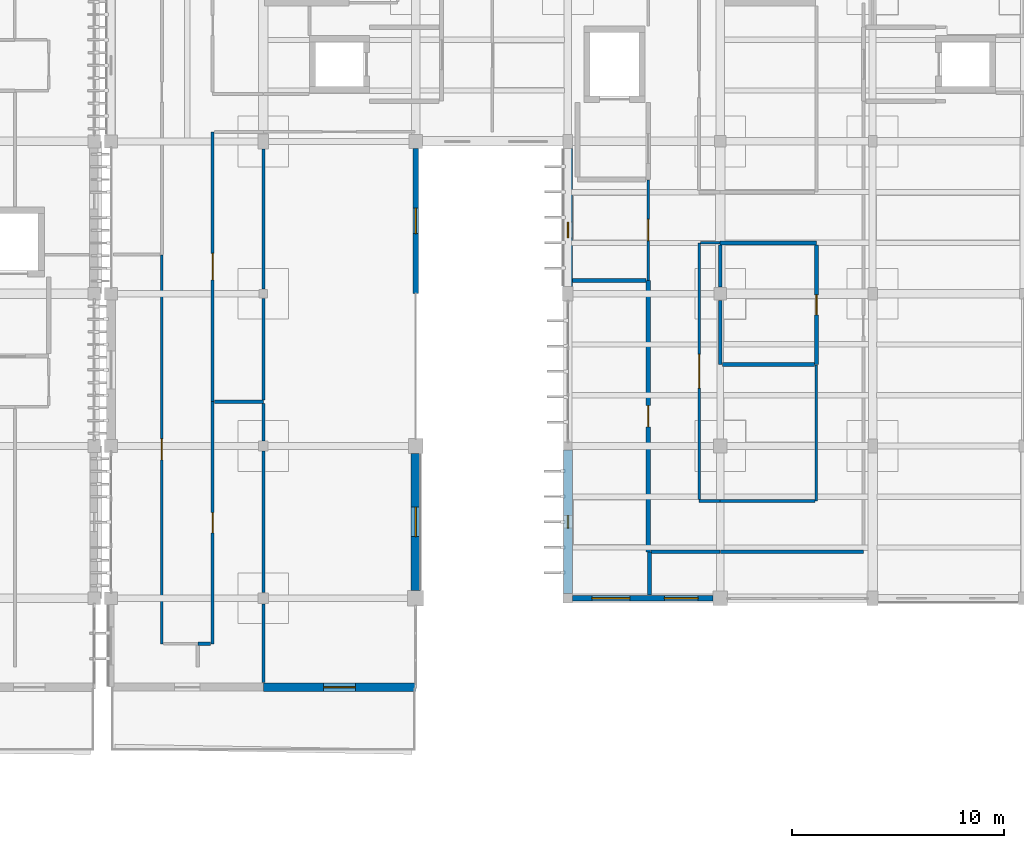
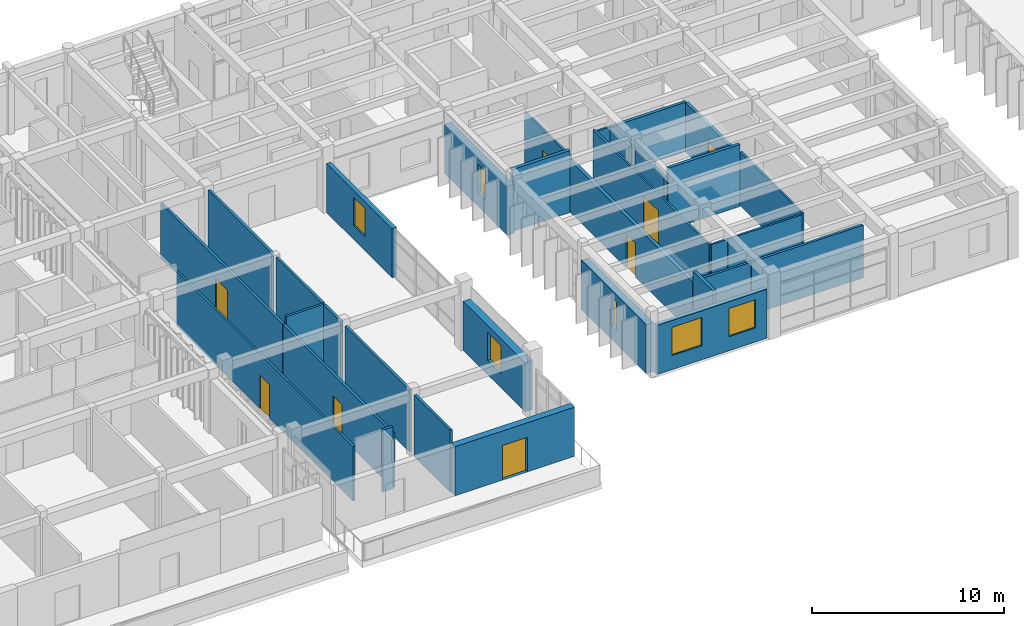
# One storey, part 34 of 55: 32 walls, 8 doors, 6 windows, 14 openings.
"""IFC4 building model written with IfcOpenShell, lengths in metres."""

from ifc_helpers import new_model, si_unit, direction, frame, frame_2d, origin, place, context, subcontext, project, spatial, rectangle, extrude, material, layer, layer_set, type_object, element, fill, save


model = new_model("IFC4")

# Units and contexts
model_context = context("Model", 3, precision=1e-05, world=origin(), true_north=direction((0.0, 1.0)))
body_context = subcontext(model_context, "Body", "Model", "MODEL_VIEW")
ifc_project = project(units=[si_unit("LENGTHUNIT", "METRE"), si_unit("AREAUNIT", "SQUARE_METRE"), si_unit("VOLUMEUNIT", "CUBIC_METRE"), si_unit("PLANEANGLEUNIT", "RADIAN"), si_unit("MASSUNIT", "GRAM", prefix="KILO")], contexts=[model_context])

# Site, building, storey
site_placement = place(None, origin())
site = spatial("IfcSite", under=ifc_project, at=site_placement, CompositionType="ELEMENT")
building_placement = place(site_placement, origin())
building = spatial("IfcBuilding", under=site, at=building_placement, Name="Steenspoor Specialist Clinic", CompositionType="ELEMENT")
storey_placement = place(building_placement, frame((0.0, 0.0, 13.199951171875)))
storey = spatial("IfcBuildingStorey", under=building, at=storey_placement, Name="L03", CompositionType="ELEMENT", Elevation=13.199951171875)

# Wall, opening, window
ifc_material_1 = material(Name="Extruded clay brick masonry", Category="masonry")
ifc_layer_1 = layer(ifc_material_1, 0.409912109375)
ifc_layer_set_1 = layer_set([ifc_layer_1], Name="Extruded clay brick masonry")
wall_type_1 = type_object("IfcWallType", Name="W-BRICK-410", PredefinedType="USERDEFINED", material=ifc_layer_set_1)
wall_1_placement = place(storey_placement, frame((74.0, 87.10009765625, 0.0), z_axis=(0.0, 0.0, 1.0), x_axis=(0.0, 1.0, 0.0)))
wall_1 = element("IfcWall", 1, at=wall_1_placement, inside=storey, type_object=wall_type_1, Name="Exterior Brick Wall EW-V4-L03-0186", ObjectType="CAVITY VENEER", PredefinedType="USERDEFINED", context=body_context, shape_type="SweptSolid", body=[
    extrude(rectangle(XDim=6.52490234375, YDim=0.409912109375, at=frame_2d((3.262451171875, 0.0))), origin(), (0.0, 0.0, 1.0), 3.130126953125),
])
opening_1_placement = place(wall_1_placement, frame((2.284912109375, 0.0, 0.89990234375)))
opening_1 = element("IfcOpeningElement", 2, at=opening_1_placement, cuts=wall_1, Name="Opening WN-02", PredefinedType="OPENING", context=body_context, shape_type="SweptSolid", body=[
    extrude(rectangle(XDim=0.75, YDim=1.800048828125, at=frame_2d((0.375, 0.89990234375))), frame((0.0, 0.21484375, 0.0), z_axis=(0.0, -1.0, 0.0), x_axis=(1.0, 0.0, 0.0)), (0.0, 0.0, 1.0), 0.429931640625),
])
ifc_material_2 = material(Name="Thermally broken aluminium and low-emissivity glass", Category="aluminium")
window_type_1 = type_object("IfcWindowType", Name="WN-EXT-075X180", PartitioningType="SINGLE_PANEL", PredefinedType="WINDOW", material=ifc_material_2)
window_1_placement = place(opening_1_placement, origin())
window_1 = element("IfcWindow", 3, at=window_1_placement, inside=storey, type_object=window_type_1, Name="Window 0215", OverallHeight=1.800048828125, OverallWidth=0.75, PartitioningType="SINGLE_PANEL", PredefinedType="WINDOW", context=body_context, shape_type="SweptSolid", body=[
    extrude(rectangle(XDim=0.75, YDim=1.800048828125, at=frame_2d((0.375, 0.89990234375))), frame((0.0, 0.030029296875, 0.0), z_axis=(0.0, -1.0, 0.0), x_axis=(1.0, 0.0, 0.0)), (0.0, 0.0, 1.0), 0.06005859375),
])
fill(opening_1, window_1)

# Wall, opening, door
wall_2_placement = place(storey_placement, frame((66.800048828125, 68.14990234375, 0.0), z_axis=(0.0, 0.0, 1.0), x_axis=(-1.0, 0.0, 0.0)))
wall_2 = element("IfcWall", 4, at=wall_2_placement, inside=storey, type_object=wall_type_1, Name="Exterior Brick Wall EW-V4-L03-0190", ObjectType="CAVITY VENEER", PredefinedType="USERDEFINED", context=body_context, shape_type="SweptSolid", body=[
    extrude(rectangle(XDim=7.199951171875, YDim=0.409912109375, at=frame_2d((3.60009765625, 0.0))), origin(), (0.0, 0.0, 1.0), 3.130126953125),
])
opening_2_placement = place(wall_2_placement, frame((2.85009765625, 0.0, 0.0)))
opening_2 = element("IfcOpeningElement", 5, at=opening_2_placement, cuts=wall_2, Name="Opening ED24", PredefinedType="OPENING", context=body_context, shape_type="SweptSolid", body=[
    extrude(rectangle(XDim=1.5, YDim=2.199951171875, at=frame_2d((0.75, 1.10009765625))), frame((0.0, 0.21484375, 0.0), z_axis=(0.0, -1.0, 0.0), x_axis=(1.0, 0.0, 0.0)), (0.0, 0.0, 1.0), 0.429931640625),
])
ifc_material_3 = material(Name="Anodised aluminium and safety glass", Category="aluminium")
door_type_1 = type_object("IfcDoorType", Name="DT-TERR-150X220", OperationType="NOTDEFINED", PredefinedType="DOOR", material=ifc_material_3)
door_1_placement = place(opening_2_placement, origin())
door_1 = element("IfcDoor", 6, at=door_1_placement, inside=storey, type_object=door_type_1, Name="Roof Terrace Door ED24", OperationType="SINGLE_SWING_LEFT", OverallHeight=2.199951171875, OverallWidth=1.5, PredefinedType="DOOR", context=body_context, shape_type="SweptSolid", body=[
    extrude(rectangle(XDim=1.5, YDim=2.199951171875, at=frame_2d((0.75, 1.10009765625))), frame((0.0, 0.02490234375, 0.0), z_axis=(0.0, -1.0, 0.0), x_axis=(1.0, 0.0, 0.0)), (0.0, 0.0, 1.0), 0.050048828125),
])
fill(opening_2, door_1)

# Wall, opening, window
ifc_layer_2 = layer(ifc_material_1, 0.43994140625)
ifc_layer_set_2 = layer_set([ifc_layer_2], Name="Extruded clay brick masonry")
wall_type_2 = type_object("IfcWallType", Name="W-BRICK-440", PredefinedType="USERDEFINED", material=ifc_layer_set_2)
wall_3_placement = place(storey_placement, frame((74.0, 72.574951171875, 0.0), z_axis=(0.0, 0.0, 1.0), x_axis=(0.0, 1.0, 0.0)))
wall_3 = element("IfcWall", 7, at=wall_3_placement, inside=storey, type_object=wall_type_2, Name="Exterior Brick Wall EW-V4-L03-0185", ObjectType="CAVITY VENEER", PredefinedType="USERDEFINED", context=body_context, shape_type="SweptSolid", body=[
    extrude(rectangle(XDim=6.775146484375, YDim=0.43994140625, at=frame_2d((3.3876953125, 0.0))), origin(), (0.0, 0.0, 1.0), 3.130126953125),
])
opening_3_placement = place(wall_3_placement, frame((3.08740234375, 0.0, 0.89990234375)))
opening_3 = element("IfcOpeningElement", 8, at=opening_3_placement, cuts=wall_3, Name="Opening WN-01", PredefinedType="OPENING", context=body_context, shape_type="SweptSolid", body=[
    extrude(rectangle(XDim=0.60009765625, YDim=1.800048828125, at=frame_2d((0.300048828125, 0.89990234375))), frame((0.0, 0.22998046875, 0.0), z_axis=(0.0, -1.0, 0.0), x_axis=(1.0, 0.0, 0.0)), (0.0, 0.0, 1.0), 0.4599609375),
])
window_type_2 = type_object("IfcWindowType", Name="WN-EXT-060X180", PartitioningType="SINGLE_PANEL", PredefinedType="WINDOW", material=ifc_material_2)
window_2_placement = place(opening_3_placement, origin())
window_2 = element("IfcWindow", 9, at=window_2_placement, inside=storey, type_object=window_type_2, Name="Window 0214", OverallHeight=1.800048828125, OverallWidth=0.60009765625, PartitioningType="SINGLE_PANEL", PredefinedType="WINDOW", context=body_context, shape_type="SweptSolid", body=[
    extrude(rectangle(XDim=0.60009765625, YDim=1.800048828125, at=frame_2d((0.300048828125, 0.89990234375))), frame((0.0, 0.030029296875, 0.0), z_axis=(0.0, -1.0, 0.0), x_axis=(1.0, 0.0, 0.0)), (0.0, 0.0, 1.0), 0.06005859375),
])
fill(opening_3, window_2)

wall_4_placement = place(storey_placement, frame((66.800048828125, 79.199951171875, 0.0), z_axis=(0.0, 0.0, 1.0), x_axis=(0.0, -1.0, 0.0)))
wall_4 = element("IfcWall", 10, at=wall_4_placement, inside=storey, type_object=wall_type_2, Name="Exterior Brick Wall EW-V4-L03-0189", ObjectType="CAVITY VENEER", PredefinedType="USERDEFINED", context=body_context, shape_type="SweptSolid", body=[
    extrude(rectangle(XDim=6.474853515625, YDim=0.43994140625, at=frame_2d((3.2373046875, 0.0))), origin(), (0.0, 0.0, 1.0), 3.130126953125),
])
opening_4_placement = place(wall_4_placement, frame((2.53759765625, 0.0, 0.89990234375)))
opening_4 = element("IfcOpeningElement", 11, at=opening_4_placement, cuts=wall_4, Name="Opening WN-06", PredefinedType="OPENING", context=body_context, shape_type="SweptSolid", body=[
    extrude(rectangle(XDim=1.39990234375, YDim=1.800048828125, at=frame_2d((0.699951171875, 0.89990234375))), frame((0.0, 0.22998046875, 0.0), z_axis=(0.0, -1.0, 0.0), x_axis=(1.0, 0.0, 0.0)), (0.0, 0.0, 1.0), 0.4599609375),
])
window_type_3 = type_object("IfcWindowType", Name="WN-EXT-140X180", PartitioningType="SINGLE_PANEL", PredefinedType="WINDOW", material=ifc_material_2)
window_3_placement = place(opening_4_placement, origin())
window_3 = element("IfcWindow", 12, at=window_3_placement, inside=storey, type_object=window_type_3, Name="Window 0219", OverallHeight=1.800048828125, OverallWidth=1.39990234375, PartitioningType="SINGLE_PANEL", PredefinedType="WINDOW", context=body_context, shape_type="SweptSolid", body=[
    extrude(rectangle(XDim=1.39990234375, YDim=1.800048828125, at=frame_2d((0.699951171875, 0.89990234375))), frame((0.0, 0.030029296875, 0.0), z_axis=(0.0, -1.0, 0.0), x_axis=(1.0, 0.0, 0.0)), (0.0, 0.0, 1.0), 0.06005859375),
])
fill(opening_4, window_3)

# Wall, opening, door
ifc_material_4 = material(Name="Gypsum acoustic clinical partition", Category="gypsum")
ifc_layer_3 = layer(ifc_material_4, 0.14990234375)
ifc_layer_set_3 = layer_set([ifc_layer_3], Name="Gypsum acoustic clinical partition")
wall_type_3 = type_object("IfcWallType", Name="W-CLIN-150", PredefinedType="PARTITIONING", material=ifc_layer_set_3)
wall_5_placement = place(storey_placement, frame((57.199951171875, 70.199951171875, 0.0), z_axis=(0.0, 0.0, 1.0), x_axis=(0.0, 1.0, 0.0)))
wall_5 = element("IfcWall", 13, at=wall_5_placement, inside=storey, type_object=wall_type_3, Name="Interior Partition IW-V4-L03-1562", PredefinedType="PARTITIONING", context=body_context, shape_type="SweptSolid", body=[
    extrude(rectangle(XDim=11.445068359375, YDim=0.14990234375, at=frame_2d((5.72265625, 0.0))), origin(), (0.0, 0.0, 1.0), 3.47998046875),
])
opening_5_placement = place(wall_5_placement, frame((5.24755859375, 0.0, 0.0)))
opening_5 = element("IfcOpeningElement", 14, at=opening_5_placement, cuts=wall_5, Name="Opening D0258", PredefinedType="OPENING", context=body_context, shape_type="SweptSolid", body=[
    extrude(rectangle(XDim=0.949951171875, YDim=2.10009765625, at=frame_2d((0.47509765625, 1.050048828125))), frame((0.0, 0.0849609375, 0.0), z_axis=(0.0, -1.0, 0.0), x_axis=(1.0, 0.0, 0.0)), (0.0, 0.0, 1.0), 0.169921875),
])
ifc_material_5 = material(Name="Moisture-resistant HPL sanitary door", Category="wood")
door_type_2 = type_object("IfcDoorType", Name="DT-WC-095X210", OperationType="NOTDEFINED", PredefinedType="DOOR", material=ifc_material_5)
door_2_placement = place(opening_5_placement, origin())
door_2 = element("IfcDoor", 15, at=door_2_placement, inside=storey, type_object=door_type_2, Name="Clinical Door D0258", OperationType="SINGLE_SWING_LEFT", OverallHeight=2.10009765625, OverallWidth=0.949951171875, PredefinedType="DOOR", context=body_context, shape_type="SweptSolid", body=[
    extrude(rectangle(XDim=0.949951171875, YDim=2.10009765625, at=frame_2d((0.47509765625, 1.050048828125))), frame((0.0, 0.02490234375, 0.0), z_axis=(0.0, -1.0, 0.0), x_axis=(1.0, 0.0, 0.0)), (0.0, 0.0, 1.0), 0.050048828125),
])
fill(opening_5, door_2)

# Walls
wall_6_placement = place(storey_placement, frame((56.5, 70.199951171875, 0.0), z_axis=(0.0, 0.0, 1.0), x_axis=(1.0, 0.0, 0.0)))
element("IfcWall", 16, at=wall_6_placement, inside=storey, type_object=wall_type_3, Name="Interior Partition IW-V4-L03-1563", PredefinedType="PARTITIONING", context=body_context, shape_type="SweptSolid", body=[
    extrude(rectangle(XDim=0.610107421875, YDim=0.14990234375, at=frame_2d((0.30517578125, 0.0))), origin(), (0.0, 0.0, 1.0), 3.949951171875),
])
wall_7_placement = place(storey_placement, frame((77.9150390625, 74.550048828125, 0.0), z_axis=(0.0, 0.0, 1.0), x_axis=(1.0, 0.0, 0.0)))
element("IfcWall", 17, at=wall_7_placement, inside=storey, type_object=wall_type_3, Name="Interior Partition IW-V4-L03-1569", PredefinedType="PARTITIONING", context=body_context, shape_type="SweptSolid", body=[
    extrude(rectangle(XDim=3.284912109375, YDim=0.14990234375, at=frame_2d((1.642578125, 0.0))), origin(), (0.0, 0.0, 1.0), 3.35498046875),
])
wall_8_placement = place(storey_placement, frame((81.215087890625, 74.550048828125, 0.0), z_axis=(0.0, 0.0, 1.0), x_axis=(1.0, 0.0, 0.0)))
element("IfcWall", 18, at=wall_8_placement, inside=storey, type_object=wall_type_3, Name="Interior Partition IW-V4-L03-1570", PredefinedType="PARTITIONING", context=body_context, shape_type="SweptSolid", body=[
    extrude(rectangle(XDim=6.7548828125, YDim=0.14990234375, at=frame_2d((3.37744140625, 0.0))), origin(), (0.0, 0.0, 1.0), 3.35498046875),
])

# Wall, opening, door
wall_9_placement = place(storey_placement, frame((57.199951171875, 81.659912109375, 0.0), z_axis=(0.0, 0.0, 1.0), x_axis=(0.0, 1.0, 0.0)))
wall_9 = element("IfcWall", 19, at=wall_9_placement, inside=storey, type_object=wall_type_3, Name="Interior Partition IW-V4-L03-1573", PredefinedType="PARTITIONING", context=body_context, shape_type="SweptSolid", body=[
    extrude(rectangle(XDim=12.739990234375, YDim=0.14990234375, at=frame_2d((6.3701171875, 0.0))), origin(), (0.0, 0.0, 1.0), 3.47998046875),
])
opening_6_placement = place(wall_9_placement, frame((5.7451171875, 0.0, 0.0)))
opening_6 = element("IfcOpeningElement", 20, at=opening_6_placement, cuts=wall_9, Name="Opening D0266", PredefinedType="OPENING", context=body_context, shape_type="SweptSolid", body=[
    extrude(rectangle(XDim=1.25, YDim=2.14990234375, at=frame_2d((0.625, 1.074951171875))), frame((0.0, 0.0849609375, 0.0), z_axis=(0.0, -1.0, 0.0), x_axis=(1.0, 0.0, 0.0)), (0.0, 0.0, 1.0), 0.169921875),
])
ifc_material_6 = material(Name="Hygienic HPL clinical timber door", Category="wood")
door_type_3 = type_object("IfcDoorType", Name="DT-EXAM-125X215", OperationType="NOTDEFINED", PredefinedType="DOOR", material=ifc_material_6)
door_3_placement = place(opening_6_placement, origin())
door_3 = element("IfcDoor", 21, at=door_3_placement, inside=storey, type_object=door_type_3, Name="Clinical Door D0266", OperationType="SINGLE_SWING_LEFT", OverallHeight=2.14990234375, OverallWidth=1.25, PredefinedType="DOOR", context=body_context, shape_type="SweptSolid", body=[
    extrude(rectangle(XDim=1.25, YDim=2.14990234375, at=frame_2d((0.625, 1.074951171875))), frame((0.0, 0.02490234375, 0.0), z_axis=(0.0, -1.0, 0.0), x_axis=(1.0, 0.0, 0.0)), (0.0, 0.0, 1.0), 0.050048828125),
])
fill(opening_6, door_3)

# Walls
wall_10_placement = place(storey_placement, frame((57.2900390625, 81.64501953125, 0.0), z_axis=(0.0, 0.0, 1.0), x_axis=(1.0, 0.0, 0.0)))
element("IfcWall", 22, at=wall_10_placement, inside=storey, type_object=wall_type_3, Name="Interior Partition IW-V4-L03-1722", PredefinedType="PARTITIONING", context=body_context, shape_type="SweptSolid", body=[
    extrude(rectangle(XDim=2.31005859375, YDim=0.14990234375, at=frame_2d((1.155029296875, 0.0))), origin(), (0.0, 0.0, 1.0), 3.949951171875),
])
wall_11_placement = place(storey_placement, frame((59.60009765625, 68.3701171875, 0.0), z_axis=(0.0, 0.0, 1.0), x_axis=(0.0, 1.0, 0.0)))
element("IfcWall", 23, at=wall_11_placement, inside=storey, type_object=wall_type_3, Name="Interior Partition IW-V4-L03-1723", PredefinedType="PARTITIONING", context=body_context, shape_type="SweptSolid", body=[
    extrude(rectangle(XDim=3.71484375, YDim=0.14990234375, at=frame_2d((1.857421875, 0.0))), origin(), (0.0, 0.0, 1.0), 3.949951171875),
])
wall_12_placement = place(storey_placement, frame((59.60009765625, 72.614990234375, 0.0), z_axis=(0.0, 0.0, 1.0), x_axis=(0.0, 1.0, 0.0)))
element("IfcWall", 24, at=wall_12_placement, inside=storey, type_object=wall_type_3, Name="Interior Partition IW-V4-L03-1724", PredefinedType="PARTITIONING", context=body_context, shape_type="SweptSolid", body=[
    extrude(rectangle(XDim=6.695068359375, YDim=0.14990234375, at=frame_2d((3.34765625, 0.0))), origin(), (0.0, 0.0, 1.0), 3.949951171875),
])
wall_13_placement = place(storey_placement, frame((59.60009765625, 79.7900390625, 0.0), z_axis=(0.0, 0.0, 1.0), x_axis=(0.0, 1.0, 0.0)))
element("IfcWall", 25, at=wall_13_placement, inside=storey, type_object=wall_type_3, Name="Interior Partition IW-V4-L03-1725", PredefinedType="PARTITIONING", context=body_context, shape_type="SweptSolid", body=[
    extrude(rectangle(XDim=1.764892578125, YDim=0.14990234375, at=frame_2d((0.88232421875, 0.0))), origin(), (0.0, 0.0, 1.0), 3.949951171875),
])
wall_14_placement = place(storey_placement, frame((59.60009765625, 81.735107421875, 0.0), z_axis=(0.0, 0.0, 1.0), x_axis=(0.0, 1.0, 0.0)))
element("IfcWall", 26, at=wall_14_placement, inside=storey, type_object=wall_type_3, Name="Interior Partition IW-V4-L03-1726", PredefinedType="PARTITIONING", context=body_context, shape_type="SweptSolid", body=[
    extrude(rectangle(XDim=4.7998046875, YDim=0.14990234375, at=frame_2d((2.39990234375, 0.0))), origin(), (0.0, 0.0, 1.0), 3.949951171875),
])
wall_15_placement = place(storey_placement, frame((59.60009765625, 86.965087890625, 0.0), z_axis=(0.0, 0.0, 1.0), x_axis=(0.0, 1.0, 0.0)))
element("IfcWall", 27, at=wall_15_placement, inside=storey, type_object=wall_type_3, Name="Interior Partition IW-V4-L03-1727", PredefinedType="PARTITIONING", context=body_context, shape_type="SweptSolid", body=[
    extrude(rectangle(XDim=6.619873046875, YDim=0.14990234375, at=frame_2d((3.31005859375, 0.0))), origin(), (0.0, 0.0, 1.0), 3.949951171875),
])

# Wall, opening, door
ifc_material_7 = material(Name="Gypsum studio partition board", Category="gypsum")
ifc_layer_4 = layer(ifc_material_7, 0.1201171875)
ifc_layer_set_4 = layer_set([ifc_layer_4], Name="Gypsum studio partition board")
wall_type_4 = type_object("IfcWallType", Name="W-PART-120", PredefinedType="PARTITIONING", material=ifc_layer_set_4)
wall_16_placement = place(storey_placement, frame((54.800048828125, 70.199951171875, 0.0), z_axis=(0.0, 0.0, 1.0), x_axis=(0.0, 1.0, 0.0)))
wall_16 = element("IfcWall", 28, at=wall_16_placement, inside=storey, type_object=wall_type_4, Name="Interior Partition IW-V4-L03-1633", PredefinedType="PARTITIONING", context=body_context, shape_type="SweptSolid", body=[
    extrude(rectangle(XDim=18.385009765625, YDim=0.1201171875, at=frame_2d((9.1923828125, 0.0))), origin(), (0.0, 0.0, 1.0), 3.47998046875),
])
opening_7_placement = place(wall_16_placement, frame((8.6923828125, 0.0, 0.0)))
opening_7 = element("IfcOpeningElement", 29, at=opening_7_placement, cuts=wall_16, Name="Opening D0257", PredefinedType="OPENING", context=body_context, shape_type="SweptSolid", body=[
    extrude(rectangle(XDim=1.0, YDim=2.14990234375, at=frame_2d((0.5, 1.074951171875))), frame((0.0, 0.070068359375, 0.0), z_axis=(0.0, -1.0, 0.0), x_axis=(1.0, 0.0, 0.0)), (0.0, 0.0, 1.0), 0.14013671875),
])
ifc_material_8 = material(Name="Moisture-resistant HPL accessible WC door", Category="wood")
door_type_4 = type_object("IfcDoorType", Name="DT-AWC-100X215", OperationType="NOTDEFINED", PredefinedType="DOOR", material=ifc_material_8)
door_4_placement = place(opening_7_placement, origin())
door_4 = element("IfcDoor", 30, at=door_4_placement, inside=storey, type_object=door_type_4, Name="Clinical Door D0257", OperationType="SINGLE_SWING_RIGHT", OverallHeight=2.14990234375, OverallWidth=1.0, PredefinedType="DOOR", context=body_context, shape_type="SweptSolid", body=[
    extrude(rectangle(XDim=1.0, YDim=2.14990234375, at=frame_2d((0.5, 1.074951171875))), frame((0.0, 0.02490234375, 0.0), z_axis=(0.0, -1.0, 0.0), x_axis=(1.0, 0.0, 0.0)), (0.0, 0.0, 1.0), 0.050048828125),
])
fill(opening_7, door_4)

# Walls
wall_17_placement = place(storey_placement, frame((85.75, 76.949951171875, 0.0), z_axis=(0.0, 0.0, 1.0), x_axis=(0.0, 1.0, 0.0)))
element("IfcWall", 31, at=wall_17_placement, inside=storey, type_object=wall_type_4, Name="Interior Partition IW-V4-L03-1638", PredefinedType="PARTITIONING", context=body_context, shape_type="SweptSolid", body=[
    extrude(rectangle(XDim=6.43505859375, YDim=0.1201171875, at=frame_2d((3.217529296875, 0.0))), origin(), (0.0, 0.0, 1.0), 3.4150390625),
])
wall_18_placement = place(storey_placement, frame((81.199951171875, 76.949951171875, 0.0), z_axis=(0.0, 0.0, 1.0), x_axis=(1.0, 0.0, 0.0)))
element("IfcWall", 32, at=wall_18_placement, inside=storey, type_object=wall_type_4, Name="Interior Partition IW-V4-L03-1639", PredefinedType="PARTITIONING", context=body_context, shape_type="SweptSolid", body=[
    extrude(rectangle(XDim=4.47509765625, YDim=0.1201171875, at=frame_2d((2.237548828125, 0.0))), origin(), (0.0, 0.0, 1.0), 3.35498046875),
])
wall_19_placement = place(storey_placement, frame((80.199951171875, 76.949951171875, 0.0), z_axis=(0.0, 0.0, 1.0), x_axis=(1.0, 0.0, 0.0)))
element("IfcWall", 33, at=wall_19_placement, inside=storey, type_object=wall_type_4, Name="Interior Partition IW-V4-L03-1640", PredefinedType="PARTITIONING", context=body_context, shape_type="SweptSolid", body=[
    extrude(rectangle(XDim=0.985107421875, YDim=0.1201171875, at=frame_2d((0.49267578125, 0.0))), origin(), (0.0, 0.0, 1.0), 3.35498046875),
])

# Wall, opening, door
wall_20_placement = place(storey_placement, frame((80.199951171875, 77.02490234375, 0.0), z_axis=(0.0, 0.0, 1.0), x_axis=(0.0, 1.0, 0.0)))
wall_20 = element("IfcWall", 34, at=wall_20_placement, inside=storey, type_object=wall_type_4, Name="Interior Partition IW-V4-L03-1641", PredefinedType="PARTITIONING", context=body_context, shape_type="SweptSolid", body=[
    extrude(rectangle(XDim=12.125, YDim=0.1201171875, at=frame_2d((6.0625, 0.0))), origin(), (0.0, 0.0, 1.0), 3.28515625),
])
opening_8_placement = place(wall_20_placement, frame((5.262451171875, 0.0, 0.0)))
opening_8 = element("IfcOpeningElement", 35, at=opening_8_placement, cuts=wall_20, Name="Opening D0265", PredefinedType="OPENING", context=body_context, shape_type="SweptSolid", body=[
    extrude(rectangle(XDim=1.60009765625, YDim=2.25, at=frame_2d((0.800048828125, 1.125))), frame((0.0, 0.070068359375, 0.0), z_axis=(0.0, -1.0, 0.0), x_axis=(1.0, 0.0, 0.0)), (0.0, 0.0, 1.0), 0.14013671875),
])
door_type_5 = type_object("IfcDoorType", Name="DT-PROC-160X225", OperationType="NOTDEFINED", PredefinedType="DOOR", material=ifc_material_6)
door_5_placement = place(opening_8_placement, origin())
door_5 = element("IfcDoor", 36, at=door_5_placement, inside=storey, type_object=door_type_5, Name="Clinical Door D0265", OperationType="SINGLE_SWING_RIGHT", OverallHeight=2.25, OverallWidth=1.60009765625, PredefinedType="DOOR", context=body_context, shape_type="SweptSolid", body=[
    extrude(rectangle(XDim=1.60009765625, YDim=2.25, at=frame_2d((0.800048828125, 1.125))), frame((0.0, 0.02490234375, 0.0), z_axis=(0.0, -1.0, 0.0), x_axis=(1.0, 0.0, 0.0)), (0.0, 0.0, 1.0), 0.050048828125),
])
fill(opening_8, door_5)

# Wall
wall_21_placement = place(storey_placement, frame((80.27490234375, 89.14990234375, 0.0), z_axis=(0.0, 0.0, 1.0), x_axis=(1.0, 0.0, 0.0)))
element("IfcWall", 37, at=wall_21_placement, inside=storey, type_object=wall_type_4, Name="Interior Partition IW-V4-L03-1642", PredefinedType="PARTITIONING", context=body_context, shape_type="SweptSolid", body=[
    extrude(rectangle(XDim=0.91015625, YDim=0.1201171875, at=frame_2d((0.455078125, 0.0))), origin(), (0.0, 0.0, 1.0), 3.135009765625),
])

# Wall, opening, door
wall_22_placement = place(storey_placement, frame((77.800048828125, 87.385009765625, 0.0), z_axis=(0.0, 0.0, 1.0), x_axis=(0.0, 1.0, 0.0)))
wall_22 = element("IfcWall", 38, at=wall_22_placement, inside=storey, type_object=wall_type_4, Name="Interior Partition IW-V4-L03-1645", PredefinedType="PARTITIONING", context=body_context, shape_type="SweptSolid", body=[
    extrude(rectangle(XDim=4.75, YDim=0.1201171875, at=frame_2d((2.375, 0.0))), origin(), (0.0, 0.0, 1.0), 3.47509765625),
])
opening_9_placement = place(wall_22_placement, frame((1.875, 0.0, 0.0)))
opening_9 = element("IfcOpeningElement", 39, at=opening_9_placement, cuts=wall_22, Name="Opening D0269", PredefinedType="OPENING", context=body_context, shape_type="SweptSolid", body=[
    extrude(rectangle(XDim=1.0, YDim=2.14990234375, at=frame_2d((0.5, 1.074951171875))), frame((0.0, 0.070068359375, 0.0), z_axis=(0.0, -1.0, 0.0), x_axis=(1.0, 0.0, 0.0)), (0.0, 0.0, 1.0), 0.14013671875),
])
door_6_placement = place(opening_9_placement, origin())
door_6 = element("IfcDoor", 40, at=door_6_placement, inside=storey, type_object=door_type_4, Name="Clinical Door D0269", OperationType="SINGLE_SWING_RIGHT", OverallHeight=2.14990234375, OverallWidth=1.0, PredefinedType="DOOR", context=body_context, shape_type="SweptSolid", body=[
    extrude(rectangle(XDim=1.0, YDim=2.14990234375, at=frame_2d((0.5, 1.074951171875))), frame((0.0, 0.02490234375, 0.0), z_axis=(0.0, -1.0, 0.0), x_axis=(1.0, 0.0, 0.0)), (0.0, 0.0, 1.0), 0.050048828125),
])
fill(opening_9, door_6)

# Wall
ifc_material_9 = material(Name="Moisture-resistant gypsum plumbing wall", Category="gypsum")
ifc_layer_5 = layer(ifc_material_9, 0.179931640625)
ifc_layer_set_5 = layer_set([ifc_layer_5], Name="Moisture-resistant gypsum plumbing wall")
wall_type_5 = type_object("IfcWallType", Name="W-PLUMB-180", PredefinedType="PLUMBINGWALL", material=ifc_layer_set_5)
wall_23_placement = place(storey_placement, frame((81.199951171875, 89.14990234375, 0.0), z_axis=(0.0, 0.0, 1.0), x_axis=(1.0, 0.0, 0.0)))
element("IfcWall", 41, at=wall_23_placement, inside=storey, type_object=wall_type_5, Name="Interior Partition IW-V4-L03-1541", PredefinedType="PLUMBINGWALL", context=body_context, shape_type="SweptSolid", body=[
    extrude(rectangle(XDim=4.550048828125, YDim=0.179931640625, at=frame_2d((2.27490234375, 0.0))), origin(), (0.0, 0.0, 1.0), 3.135009765625),
])

# Wall, opening, door
wall_24_placement = place(storey_placement, frame((85.75, 83.39990234375, 0.0), z_axis=(0.0, 0.0, 1.0), x_axis=(0.0, 1.0, 0.0)))
wall_24 = element("IfcWall", 42, at=wall_24_placement, inside=storey, type_object=wall_type_5, Name="Interior Partition IW-V4-L03-1542", PredefinedType="PLUMBINGWALL", context=body_context, shape_type="SweptSolid", body=[
    extrude(rectangle(XDim=5.64501953125, YDim=0.179931640625, at=frame_2d((2.822509765625, 0.0))), origin(), (0.0, 0.0, 1.0), 3.135009765625),
])
opening_10_placement = place(wall_24_placement, frame((2.347412109375, 0.0, 0.0)))
opening_10 = element("IfcOpeningElement", 43, at=opening_10_placement, cuts=wall_24, Name="Opening D0268", PredefinedType="OPENING", context=body_context, shape_type="SweptSolid", body=[
    extrude(rectangle(XDim=0.949951171875, YDim=2.10009765625, at=frame_2d((0.47509765625, 1.050048828125))), frame((0.0, 0.10009765625, 0.0), z_axis=(0.0, -1.0, 0.0), x_axis=(1.0, 0.0, 0.0)), (0.0, 0.0, 1.0), 0.199951171875),
])
door_7_placement = place(opening_10_placement, origin())
door_7 = element("IfcDoor", 44, at=door_7_placement, inside=storey, type_object=door_type_2, Name="Clinical Door D0268", OperationType="SINGLE_SWING_LEFT", OverallHeight=2.10009765625, OverallWidth=0.949951171875, PredefinedType="DOOR", context=body_context, shape_type="SweptSolid", body=[
    extrude(rectangle(XDim=0.949951171875, YDim=2.10009765625, at=frame_2d((0.47509765625, 1.050048828125))), frame((0.0, 0.02490234375, 0.0), z_axis=(0.0, -1.0, 0.0), x_axis=(1.0, 0.0, 0.0)), (0.0, 0.0, 1.0), 0.050048828125),
])
fill(opening_10, door_7)

# Walls
wall_25_placement = place(storey_placement, frame((81.199951171875, 83.39990234375, 0.0), z_axis=(0.0, 0.0, 1.0), x_axis=(0.0, 1.0, 0.0)))
element("IfcWall", 45, at=wall_25_placement, inside=storey, type_object=wall_type_5, Name="Interior Partition IW-V4-L03-1701", PredefinedType="PLUMBINGWALL", context=body_context, shape_type="SweptSolid", body=[
    extrude(rectangle(XDim=3.03515625, YDim=0.179931640625, at=frame_2d((1.517578125, 0.0))), origin(), (0.0, 0.0, 1.0), 3.385009765625),
])
wall_26_placement = place(storey_placement, frame((81.199951171875, 87.06494140625, 0.0), z_axis=(0.0, 0.0, 1.0), x_axis=(0.0, 1.0, 0.0)))
element("IfcWall", 46, at=wall_26_placement, inside=storey, type_object=wall_type_5, Name="Interior Partition IW-V4-L03-1702", PredefinedType="PLUMBINGWALL", context=body_context, shape_type="SweptSolid", body=[
    extrude(rectangle(XDim=1.97998046875, YDim=0.179931640625, at=frame_2d((0.989990234375, 0.0))), origin(), (0.0, 0.0, 1.0), 3.135009765625),
])
wall_27_placement = place(storey_placement, frame((81.304931640625, 83.39990234375, 0.0), z_axis=(0.0, 0.0, 1.0), x_axis=(1.0, 0.0, 0.0)))
element("IfcWall", 47, at=wall_27_placement, inside=storey, type_object=wall_type_5, Name="Interior Partition IW-V4-L03-1703", PredefinedType="PLUMBINGWALL", context=body_context, shape_type="SweptSolid", body=[
    extrude(rectangle(XDim=4.340087890625, YDim=0.179931640625, at=frame_2d((2.169921875, 0.0))), origin(), (0.0, 0.0, 1.0), 3.949951171875),
])

# Wall, openings, windows
ifc_layer_6 = layer(ifc_material_1, 0.260009765625)
ifc_layer_set_6 = layer_set([ifc_layer_6], Name="Extruded clay brick masonry")
wall_type_6 = type_object("IfcWallType", Name="W-SCREEN-260", PredefinedType="SOLIDWALL", material=ifc_layer_set_6)
wall_28_placement = place(storey_placement, frame((80.85009765625, 72.35009765625, 0.0), z_axis=(0.0, 0.0, 1.0), x_axis=(-1.0, 0.0, 0.0)))
wall_28 = element("IfcWall", 48, at=wall_28_placement, inside=storey, type_object=wall_type_6, Name="Exterior Brick Wall EW-V4-L03-0184", PredefinedType="SOLIDWALL", context=body_context, shape_type="SweptSolid", body=[
    extrude(rectangle(XDim=6.625, YDim=0.260009765625, at=frame_2d((3.3125, 0.0))), origin(), (0.0, 0.0, 1.0), 3.130126953125),
])
opening_11_placement = place(wall_28_placement, frame((0.68994140625, 0.0, 0.89990234375)))
opening_11 = element("IfcOpeningElement", 49, at=opening_11_placement, cuts=wall_28, Name="Opening WN-07", PredefinedType="OPENING", context=body_context, shape_type="SweptSolid", body=[
    extrude(rectangle(XDim=1.60009765625, YDim=1.800048828125, at=frame_2d((0.800048828125, 0.89990234375))), frame((0.0, 0.14013671875, 0.0), z_axis=(0.0, -1.0, 0.0), x_axis=(1.0, 0.0, 0.0)), (0.0, 0.0, 1.0), 0.280029296875),
])
opening_12_placement = place(wall_28_placement, frame((3.922607421875, 0.0, 0.89990234375)))
opening_12 = element("IfcOpeningElement", 50, at=opening_12_placement, cuts=wall_28, Name="Opening WN-08", PredefinedType="OPENING", context=body_context, shape_type="SweptSolid", body=[
    extrude(rectangle(XDim=1.800048828125, YDim=1.800048828125, at=frame_2d((0.89990234375, 0.89990234375))), frame((0.0, 0.14013671875, 0.0), z_axis=(0.0, -1.0, 0.0), x_axis=(1.0, 0.0, 0.0)), (0.0, 0.0, 1.0), 0.280029296875),
])
window_type_4 = type_object("IfcWindowType", Name="WN-EXT-160X180", PartitioningType="SINGLE_PANEL", PredefinedType="WINDOW", material=ifc_material_2)
window_4_placement = place(opening_11_placement, origin())
window_4 = element("IfcWindow", 51, at=window_4_placement, inside=storey, type_object=window_type_4, Name="Window 0212", OverallHeight=1.800048828125, OverallWidth=1.60009765625, PartitioningType="SINGLE_PANEL", PredefinedType="WINDOW", context=body_context, shape_type="SweptSolid", body=[
    extrude(rectangle(XDim=1.60009765625, YDim=1.800048828125, at=frame_2d((0.800048828125, 0.89990234375))), frame((0.0, 0.030029296875, 0.0), z_axis=(0.0, -1.0, 0.0), x_axis=(1.0, 0.0, 0.0)), (0.0, 0.0, 1.0), 0.06005859375),
])
fill(opening_11, window_4)
window_type_5 = type_object("IfcWindowType", Name="WN-EXT-180X180", PartitioningType="SINGLE_PANEL", PredefinedType="WINDOW", material=ifc_material_2)
window_5_placement = place(opening_12_placement, origin())
window_5 = element("IfcWindow", 52, at=window_5_placement, inside=storey, type_object=window_type_5, Name="Window 0213", OverallHeight=1.800048828125, OverallWidth=1.800048828125, PartitioningType="SINGLE_PANEL", PredefinedType="WINDOW", context=body_context, shape_type="SweptSolid", body=[
    extrude(rectangle(XDim=1.800048828125, YDim=1.800048828125, at=frame_2d((0.89990234375, 0.89990234375))), frame((0.0, 0.030029296875, 0.0), z_axis=(0.0, -1.0, 0.0), x_axis=(1.0, 0.0, 0.0)), (0.0, 0.0, 1.0), 0.06005859375),
])
fill(opening_12, window_5)

# Wall, opening, window
wall_29_placement = place(storey_placement, frame((66.800048828125, 93.625, 0.0), z_axis=(0.0, 0.0, 1.0), x_axis=(0.0, -1.0, 0.0)))
wall_29 = element("IfcWall", 53, at=wall_29_placement, inside=storey, type_object=wall_type_6, Name="Exterior Brick Wall EW-V4-L03-0188", PredefinedType="SOLIDWALL", context=body_context, shape_type="SweptSolid", body=[
    extrude(rectangle(XDim=6.862548828125, YDim=0.260009765625, at=frame_2d((3.43115234375, 0.0))), origin(), (0.0, 0.0, 1.0), 3.130126953125),
])
opening_13_placement = place(wall_29_placement, frame((2.831298828125, 0.0, 0.89990234375)))
opening_13 = element("IfcOpeningElement", 54, at=opening_13_placement, cuts=wall_29, Name="Opening WN-05", PredefinedType="OPENING", context=body_context, shape_type="SweptSolid", body=[
    extrude(rectangle(XDim=1.199951171875, YDim=1.800048828125, at=frame_2d((0.60009765625, 0.89990234375))), frame((0.0, 0.14013671875, 0.0), z_axis=(0.0, -1.0, 0.0), x_axis=(1.0, 0.0, 0.0)), (0.0, 0.0, 1.0), 0.280029296875),
])
window_type_6 = type_object("IfcWindowType", Name="WN-EXT-120X180", PartitioningType="SINGLE_PANEL", PredefinedType="WINDOW", material=ifc_material_2)
window_6_placement = place(opening_13_placement, origin())
window_6 = element("IfcWindow", 55, at=window_6_placement, inside=storey, type_object=window_type_6, Name="Window 0218", OverallHeight=1.800048828125, OverallWidth=1.199951171875, PartitioningType="SINGLE_PANEL", PredefinedType="WINDOW", context=body_context, shape_type="SweptSolid", body=[
    extrude(rectangle(XDim=1.199951171875, YDim=1.800048828125, at=frame_2d((0.60009765625, 0.89990234375))), frame((0.0, 0.030029296875, 0.0), z_axis=(0.0, -1.0, 0.0), x_axis=(1.0, 0.0, 0.0)), (0.0, 0.0, 1.0), 0.06005859375),
])
fill(opening_13, window_6)

# Wall, opening, door
ifc_material_10 = material(Name="Gypsum acoustic smoke barrier board", Category="gypsum")
ifc_layer_7 = layer(ifc_material_10, 0.199951171875)
ifc_layer_set_7 = layer_set([ifc_layer_7], Name="Gypsum acoustic smoke barrier board")
wall_type_7 = type_object("IfcWallType", Name="W-SMOKE-200", PredefinedType="PARTITIONING", material=ifc_layer_set_7)
wall_30_placement = place(storey_placement, frame((77.800048828125, 74.550048828125, 0.0), z_axis=(0.0, 0.0, 1.0), x_axis=(0.0, 1.0, 0.0)))
wall_30 = element("IfcWall", 56, at=wall_30_placement, inside=storey, type_object=wall_type_7, Name="Interior Partition IW-V4-L03-1557", PredefinedType="PARTITIONING", context=body_context, shape_type="SweptSolid", body=[
    extrude(rectangle(XDim=12.820068359375, YDim=0.199951171875, at=frame_2d((6.41015625, 0.0))), origin(), (0.0, 0.0, 1.0), 3.28515625),
])
opening_14_placement = place(wall_30_placement, frame((5.909912109375, 0.0, 0.0)))
opening_14 = element("IfcOpeningElement", 57, at=opening_14_placement, cuts=wall_30, Name="Opening D0263", PredefinedType="OPENING", context=body_context, shape_type="SweptSolid", body=[
    extrude(rectangle(XDim=1.0, YDim=2.14990234375, at=frame_2d((0.5, 1.074951171875))), frame((0.0, 0.10986328125, 0.0), z_axis=(0.0, -1.0, 0.0), x_axis=(1.0, 0.0, 0.0)), (0.0, 0.0, 1.0), 0.219970703125),
])
door_8_placement = place(opening_14_placement, origin())
door_8 = element("IfcDoor", 58, at=door_8_placement, inside=storey, type_object=door_type_4, Name="Clinical Door D0263", OperationType="SINGLE_SWING_RIGHT", OverallHeight=2.14990234375, OverallWidth=1.0, PredefinedType="DOOR", context=body_context, shape_type="SweptSolid", body=[
    extrude(rectangle(XDim=1.0, YDim=2.14990234375, at=frame_2d((0.5, 1.074951171875))), frame((0.0, 0.02490234375, 0.0), z_axis=(0.0, -1.0, 0.0), x_axis=(1.0, 0.0, 0.0)), (0.0, 0.0, 1.0), 0.050048828125),
])
fill(opening_14, door_8)

# Walls
wall_31_placement = place(storey_placement, frame((77.85009765625, 72.4951171875, 0.0), z_axis=(0.0, 0.0, 1.0), x_axis=(0.0, 1.0, 0.0)))
element("IfcWall", 59, at=wall_31_placement, inside=storey, type_object=wall_type_7, Name="Interior Partition IW-V4-L03-1716", PredefinedType="PARTITIONING", context=body_context, shape_type="SweptSolid", body=[
    extrude(rectangle(XDim=2.039794921875, YDim=0.199951171875, at=frame_2d((1.02001953125, 0.0))), origin(), (0.0, 0.0, 1.0), 3.949951171875),
])
wall_32_placement = place(storey_placement, frame((74.219970703125, 87.3701171875, 0.0), z_axis=(0.0, 0.0, 1.0), x_axis=(1.0, 0.0, 0.0)))
element("IfcWall", 60, at=wall_32_placement, inside=storey, type_object=wall_type_7, Name="Interior Partition IW-V4-L03-1717", PredefinedType="PARTITIONING", context=body_context, shape_type="SweptSolid", body=[
    extrude(rectangle(XDim=3.465087890625, YDim=0.199951171875, at=frame_2d((1.732421875, 0.0))), origin(), (0.0, 0.0, 1.0), 3.949951171875),
])

save(model, "model.ifc")
